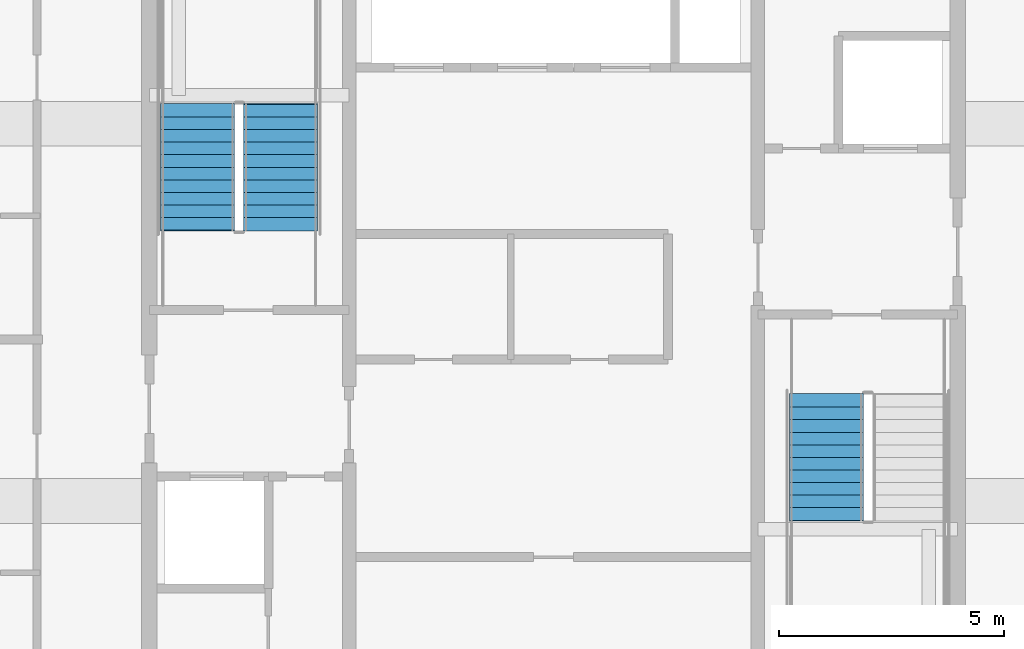
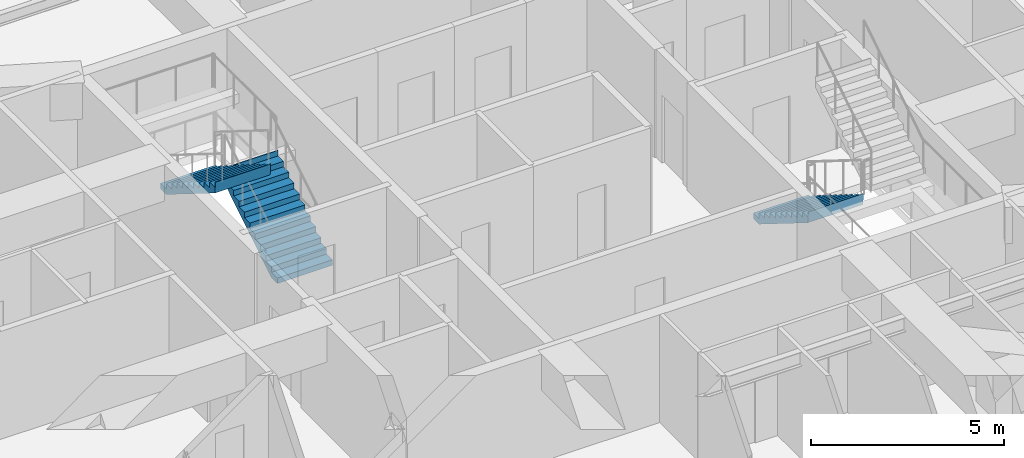
# One storey, part 33 of 39: 3 stair flights, 2 elements without a shape of their own.
"""IFC4 building model written with IfcOpenShell, lengths in metres."""

import ifcopenshell
import ifcopenshell.guid

model = None  # the IFC model being written
_history = None  # IfcOwnerHistory: only IFC2X3 demands one
_inside = {}  # id of a spatial element -> (the spatial element, [elements in it])
_under = {}  # id of a project, library or spatial element -> (it, [spatial elements below it])
_declared = {}  # id of a project -> (the project, [libraries it declares])
_typed = {}  # id of a type object -> (the type object, [elements of that type])
_made_of = {}  # id of a material, layer set ... -> (it, [elements and type objects made of it])


def new_model(schema):
    """Start an empty IFC model of exactly this schema.

    Asked for "IFC4X3", IfcOpenShell would pick the latest addendum, in which some entities
    have other attributes; the version numbers below select the first issue.
    IFC2X3 requires an IfcOwnerHistory on every rooted entity: one is made here for all.
    """
    global model, _history
    if schema == "IFC4X3":
        model = ifcopenshell.file(schema_version=(4, 3, 0, 0))
    else:
        model = ifcopenshell.file(schema=schema)
    _inside.clear()
    _under.clear()
    _declared.clear()
    _typed.clear()
    _made_of.clear()
    _history = None
    if model.schema == "IFC2X3":
        org = make("IfcOrganization", Name="unknown")
        user = make(
            "IfcPersonAndOrganization",
            ThePerson=make("IfcPerson", FamilyName="unknown"),
            TheOrganization=org,
        )
        app = make(
            "IfcApplication",
            ApplicationDeveloper=org,
            Version="unknown",
            ApplicationFullName="unknown",
            ApplicationIdentifier="unknown",
        )
        _history = make(
            "IfcOwnerHistory",
            OwningUser=user,
            OwningApplication=app,
            ChangeAction="ADDED",
            CreationDate=0,
        )
    return model


def make(cls, **values):
    """One entity of the class cls with the attributes given. An attribute that is None is left unset."""
    return model.create_entity(
        cls, **{name: value for name, value in values.items() if value is not None}
    )


def rooted(cls, **values):
    """An entity with a GlobalId (a new one), such as an element, a storey or a relation."""
    return make(cls, GlobalId=ifcopenshell.guid.new(), OwnerHistory=_history, **values)


def si_unit(unit_type, name, prefix=None):
    """IfcSIUnit, for example si_unit("LENGTHUNIT", "METRE", prefix="MILLI")."""
    return make("IfcSIUnit", UnitType=unit_type, Prefix=prefix, Name=name)


def assignment(units):
    """IfcUnitAssignment: the units of a project."""
    return None if units is None else make("IfcUnitAssignment", Units=units)


def point(xyz):
    """IfcCartesianPoint."""
    return None if xyz is None else make("IfcCartesianPoint", Coordinates=xyz)


def direction(xyz):
    """IfcDirection."""
    return None if xyz is None else make("IfcDirection", DirectionRatios=xyz)


def frame(location, z_axis=None, x_axis=None):
    """IfcAxis2Placement3D, a coordinate frame: its origin and axes. An axis left out is left unset."""
    return make(
        "IfcAxis2Placement3D",
        Location=point(location),
        Axis=direction(z_axis),
        RefDirection=direction(x_axis),
    )


def origin():
    """The frame at (0, 0, 0) with its axes left unset."""
    return frame((0.0, 0.0, 0.0))


def place(relative_to, where):
    """IfcLocalPlacement: puts the frame where relative to a parent placement (None: the world)."""
    return make(
        "IfcLocalPlacement", PlacementRelTo=relative_to, RelativePlacement=where
    )


def context(
    kind, dimensions, precision=None, world=None, true_north=None, identifier=None
):
    """IfcGeometricRepresentationContext, for example the 3D "Model" context."""
    return make(
        "IfcGeometricRepresentationContext",
        ContextIdentifier=identifier,
        ContextType=kind,
        CoordinateSpaceDimension=dimensions,
        Precision=precision,
        WorldCoordinateSystem=world,
        TrueNorth=true_north,
    )


def subcontext(parent, identifier, kind, view, scale=None):
    """IfcGeometricRepresentationSubContext, for example "Body" below "Model"."""
    return make(
        "IfcGeometricRepresentationSubContext",
        ContextIdentifier=identifier,
        ContextType=kind,
        ParentContext=parent,
        TargetScale=scale,
        TargetView=view,
    )


def project(units=None, contexts=None):
    """IfcProject with its units and contexts."""
    return rooted(
        "IfcProject",
        Name="project",
        RepresentationContexts=contexts,
        UnitsInContext=assignment(units),
    )


def spatial(cls, under=None, at=None, **own):
    """A site, building, storey or space (cls), placed at a placement, below another one or the project."""
    s = rooted(cls, ObjectPlacement=at, **own)
    if under is not None:
        _under.setdefault(under.id(), (under, []))[1].append(s)
    return s


def point_list(points):
    """IfcCartesianPointList2D or 3D."""
    cls = (
        "IfcCartesianPointList2D" if len(points[0]) == 2 else "IfcCartesianPointList3D"
    )
    return make(cls, CoordList=points)


def polygons(points, faces, closed=None, point_numbers=None):
    """IfcPolygonalFaceSet: a face is its outer loop, then its inner loops; points numbered from 1."""
    made = []
    for loops in faces:
        if len(loops) == 1:
            made.append(make("IfcIndexedPolygonalFace", CoordIndex=loops[0]))
        else:
            made.append(
                make(
                    "IfcIndexedPolygonalFaceWithVoids",
                    CoordIndex=loops[0],
                    InnerCoordIndices=loops[1:],
                )
            )
    return make(
        "IfcPolygonalFaceSet",
        Coordinates=point_list(points),
        Closed=closed,
        Faces=made,
        PnIndex=point_numbers,
    )


def shape(context_of_items, identifier, shape_type, items):
    """IfcShapeRepresentation: the items that make up one representation, for example the "Body"."""
    return make(
        "IfcShapeRepresentation",
        ContextOfItems=context_of_items,
        RepresentationIdentifier=identifier,
        RepresentationType=shape_type,
        Items=items,
    )


def material(Name=None, Category=None):
    """IfcMaterial."""
    return make("IfcMaterial", Name=Name, Category=Category)


def made_of(thing, what):
    """Note that an element or type object is made of a material, layer set ...; save() writes the relation."""
    if what is not None:
        _made_of.setdefault(what.id(), (what, []))[1].append(thing)
    return thing


def type_object(cls, material=None, **own):
    """A type object (cls), such as IfcWallType, which elements share."""
    return made_of(rooted(cls, **own), material)


def element(
    cls,
    number,
    at=None,
    inside=None,
    cuts=None,
    type_object=None,
    material=None,
    context=None,
    identifier="Body",
    shape_type=None,
    held_by="IfcProductDefinitionShape",
    body=None,
    shapes=None,
    **own,
):
    """One element of the class cls, such as IfcWall. Its Tag is "e" and its number.

    at: its placement. inside: the storey or other place that contains it. cuts: it is an
    opening in that element (IfcRelVoidsElement). A single representation is given by context,
    identifier, shape_type and body (its items); several are given by shapes. held_by: the class
    of the entity that holds the representations. save() writes the other relations.
    """
    e = rooted(cls, Tag="e%d" % number, ObjectPlacement=at, **own)
    if body is not None:
        shapes = [shape(context, identifier, shape_type, body)]
    if shapes is not None:
        e.Representation = make(held_by, Representations=shapes)
    if inside is not None:
        _inside.setdefault(inside.id(), (inside, []))[1].append(e)
    if cuts is not None:
        rooted(
            "IfcRelVoidsElement", RelatingBuildingElement=cuts, RelatedOpeningElement=e
        )
    if type_object is not None:
        _typed.setdefault(type_object.id(), (type_object, []))[1].append(e)
    return made_of(e, material)


def aggregate(whole, parts):
    """IfcRelAggregates: a whole, such as a stair, and the parts it consists of."""
    return rooted("IfcRelAggregates", RelatingObject=whole, RelatedObjects=parts)


def save(model, path):
    """Write the relations noted so far, then the file.

    IfcRelAggregates (storeys below a building ...), IfcRelContainedInSpatialStructure (elements
    in a storey), IfcRelDefinesByType, IfcRelAssociatesMaterial and IfcRelDeclares: one each for
    every whole, place, type object, material and project.
    """
    for whole, parts in _under.values():
        aggregate(whole, parts)
    for where, things in _inside.values():
        rooted(
            "IfcRelContainedInSpatialStructure",
            RelatedElements=things,
            RelatingStructure=where,
        )
    for kind, things in _typed.values():
        rooted("IfcRelDefinesByType", RelatedObjects=things, RelatingType=kind)
    for what, things in _made_of.values():
        rooted("IfcRelAssociatesMaterial", RelatedObjects=things, RelatingMaterial=what)
    for by, libraries in _declared.values():
        rooted("IfcRelDeclares", RelatingContext=by, RelatedDefinitions=libraries)
    model.write(path)


model = new_model("IFC4")

# Units and contexts
model_context = context("Model", 3, precision=1e-05, world=origin(), true_north=direction((0.0, 1.0)))
body_context = subcontext(model_context, "Body", "Model", "MODEL_VIEW")
ifc_project = project(units=[si_unit("LENGTHUNIT", "METRE"), si_unit("AREAUNIT", "SQUARE_METRE"), si_unit("VOLUMEUNIT", "CUBIC_METRE"), si_unit("PLANEANGLEUNIT", "RADIAN"), si_unit("MASSUNIT", "GRAM", prefix="KILO")], contexts=[model_context])

# Site, building, storey
site_placement = place(None, origin())
site = spatial("IfcSite", under=ifc_project, at=site_placement, CompositionType="ELEMENT")
building_placement = place(site_placement, origin())
building = spatial("IfcBuilding", under=site, at=building_placement, Name="Serunith Strait Residences", CompositionType="ELEMENT")
storey_placement = place(building_placement, frame((0.0, 0.0, 283.60009765625)))
storey = spatial("IfcBuildingStorey", under=building, at=storey_placement, Name="L71", CompositionType="ELEMENT", Elevation=283.60009765625)

# Stair, stair flights
ifc_material = material(Name="Concrete C50/60", Category="concrete")
stair_type_1 = type_object("IfcStairType", Name="STR-CORE-1", PredefinedType="HALF_TURN_STAIR", material=ifc_material)
stair_1_placement = place(storey_placement, origin())
stair_1 = element("IfcStair", 1, at=stair_1_placement, inside=storey, type_object=stair_type_1, Name="L71 Protected Escape Stair ST-1", PredefinedType="HALF_TURN_STAIR")
stair_flight_type_1 = type_object("IfcStairFlightType", Name="FLT-CORE-1", PredefinedType="STRAIGHT", material=ifc_material)
stair_flight_1_placement = place(storey_placement, frame((26.324951171875, 27.030029296875, 0.0), z_axis=(0.0, 0.0, 1.0), x_axis=(0.0, 1.0, 0.0)))
stair_flight_1 = element("IfcStairFlight", 2, at=stair_flight_1_placement, type_object=stair_flight_type_1, Name="ST-1 flight 1", NumberOfRisers=11, NumberOfTreads=10, PredefinedType="STRAIGHT", RiserHeight=0.175, TreadLength=0.28, context=body_context, shape_type="Tessellation", body=[
    polygons([(-0.02001953125, -0.824951171875, 0.0), (-0.02001953125, -0.824951171875, 0.175048828125), (0.280029296875, -0.824951171875, 0.175048828125), (0.280029296875, -0.824951171875, 0.35009765625), (0.56005859375, -0.824951171875, 0.35009765625), (0.56005859375, -0.824951171875, 0.52490234375), (0.840087890625, -0.824951171875, 0.52490234375), (0.840087890625, -0.824951171875, 0.699951171875), (1.1201171875, -0.824951171875, 0.699951171875), (1.1201171875, -0.824951171875, 0.875), (1.39990234375, -0.824951171875, 0.875), (1.39990234375, -0.824951171875, 1.050048828125), (1.679931640625, -0.824951171875, 1.050048828125), (1.679931640625, -0.824951171875, 1.22509765625), (1.9599609375, -0.824951171875, 1.22509765625), (1.9599609375, -0.824951171875, 1.39990234375), (2.239990234375, -0.824951171875, 1.39990234375), (2.239990234375, -0.824951171875, 1.574951171875), (2.52001953125, -0.824951171875, 1.574951171875), (2.52001953125, -0.824951171875, 1.75), (2.800048828125, -0.824951171875, 1.75), (2.800048828125, -0.824951171875, 1.925048828125), (2.820068359375, -0.824951171875, 1.925048828125), (2.820068359375, -0.824951171875, 1.864990234375), (2.800048828125, -0.824951171875, 1.5732421875), (0.28271484375, -0.824951171875, 0.0), (-0.02001953125, -0.41259765625, 0.0), (-0.02001953125, -0.41259765625, 0.175048828125), (0.280029296875, -0.41259765625, 0.175048828125), (0.280029296875, -0.41259765625, 0.35009765625), (0.56005859375, -0.41259765625, 0.35009765625), (0.56005859375, -0.41259765625, 0.52490234375), (0.840087890625, -0.41259765625, 0.52490234375), (0.840087890625, -0.41259765625, 0.699951171875), (1.1201171875, -0.41259765625, 0.699951171875), (1.1201171875, -0.41259765625, 0.875), (1.39990234375, -0.41259765625, 0.875), (1.39990234375, -0.41259765625, 1.050048828125), (1.679931640625, -0.41259765625, 1.050048828125), (1.679931640625, -0.41259765625, 1.22509765625), (1.9599609375, -0.41259765625, 1.22509765625), (1.9599609375, -0.41259765625, 1.39990234375), (2.239990234375, -0.41259765625, 1.39990234375), (2.239990234375, -0.41259765625, 1.574951171875), (2.52001953125, -0.41259765625, 1.574951171875), (2.52001953125, -0.41259765625, 1.75), (2.800048828125, -0.41259765625, 1.75), (2.800048828125, -0.41259765625, 1.925048828125), (2.820068359375, -0.41259765625, 1.925048828125), (2.820068359375, -0.41259765625, 1.864990234375), (2.800048828125, -0.41259765625, 1.5732421875), (0.28271484375, -0.41259765625, 0.0), (-0.02001953125, 0.0, 0.0), (-0.02001953125, 0.0, 0.175048828125), (0.280029296875, 0.0, 0.175048828125), (0.280029296875, 0.0, 0.35009765625), (0.56005859375, 0.0, 0.35009765625), (0.56005859375, 0.0, 0.52490234375), (0.840087890625, 0.0, 0.52490234375), (0.840087890625, 0.0, 0.699951171875), (1.1201171875, 0.0, 0.699951171875), (1.1201171875, 0.0, 0.875), (1.39990234375, 0.0, 0.875), (1.39990234375, 0.0, 1.050048828125), (1.679931640625, 0.0, 1.050048828125), (1.679931640625, 0.0, 1.22509765625), (1.9599609375, 0.0, 1.22509765625), (1.9599609375, 0.0, 1.39990234375), (2.239990234375, 0.0, 1.39990234375), (2.239990234375, 0.0, 1.574951171875), (2.52001953125, 0.0, 1.574951171875), (2.52001953125, 0.0, 1.75), (2.800048828125, 0.0, 1.75), (2.800048828125, 0.0, 1.925048828125), (2.820068359375, 0.0, 1.925048828125), (2.820068359375, 0.0, 1.864990234375), (2.800048828125, 0.0, 1.5732421875), (0.28271484375, 0.0, 0.0), (-0.02001953125, 0.41259765625, 0.0), (-0.02001953125, 0.41259765625, 0.175048828125), (0.280029296875, 0.41259765625, 0.175048828125), (0.280029296875, 0.41259765625, 0.35009765625), (0.56005859375, 0.41259765625, 0.35009765625), (0.56005859375, 0.41259765625, 0.52490234375), (0.840087890625, 0.41259765625, 0.52490234375), (0.840087890625, 0.41259765625, 0.699951171875), (1.1201171875, 0.41259765625, 0.699951171875), (1.1201171875, 0.41259765625, 0.875), (1.39990234375, 0.41259765625, 0.875), (1.39990234375, 0.41259765625, 1.050048828125), (1.679931640625, 0.41259765625, 1.050048828125), (1.679931640625, 0.41259765625, 1.22509765625), (1.9599609375, 0.41259765625, 1.22509765625), (1.9599609375, 0.41259765625, 1.39990234375), (2.239990234375, 0.41259765625, 1.39990234375), (2.239990234375, 0.41259765625, 1.574951171875), (2.52001953125, 0.41259765625, 1.574951171875), (2.52001953125, 0.41259765625, 1.75), (2.800048828125, 0.41259765625, 1.75), (2.800048828125, 0.41259765625, 1.925048828125), (2.820068359375, 0.41259765625, 1.925048828125), (2.820068359375, 0.41259765625, 1.864990234375), (2.800048828125, 0.41259765625, 1.5732421875), (0.28271484375, 0.41259765625, 0.0), (-0.02001953125, 0.824951171875, 0.0), (-0.02001953125, 0.824951171875, 0.175048828125), (0.280029296875, 0.824951171875, 0.175048828125), (0.280029296875, 0.824951171875, 0.35009765625), (0.56005859375, 0.824951171875, 0.35009765625), (0.56005859375, 0.824951171875, 0.52490234375), (0.840087890625, 0.824951171875, 0.52490234375), (0.840087890625, 0.824951171875, 0.699951171875), (1.1201171875, 0.824951171875, 0.699951171875), (1.1201171875, 0.824951171875, 0.875), (1.39990234375, 0.824951171875, 0.875), (1.39990234375, 0.824951171875, 1.050048828125), (1.679931640625, 0.824951171875, 1.050048828125), (1.679931640625, 0.824951171875, 1.22509765625), (1.9599609375, 0.824951171875, 1.22509765625), (1.9599609375, 0.824951171875, 1.39990234375), (2.239990234375, 0.824951171875, 1.39990234375), (2.239990234375, 0.824951171875, 1.574951171875), (2.52001953125, 0.824951171875, 1.574951171875), (2.52001953125, 0.824951171875, 1.75), (2.800048828125, 0.824951171875, 1.75), (2.800048828125, 0.824951171875, 1.925048828125), (2.820068359375, 0.824951171875, 1.925048828125), (2.820068359375, 0.824951171875, 1.864990234375), (2.800048828125, 0.824951171875, 1.5732421875), (0.28271484375, 0.824951171875, 0.0)], [[[1, 2, 28, 27]], [[2, 3, 29, 28]], [[3, 4, 30, 29]], [[4, 5, 31, 30]], [[5, 6, 32, 31]], [[6, 7, 33, 32]], [[7, 8, 34, 33]], [[8, 9, 35, 34]], [[9, 10, 36, 35]], [[10, 11, 37, 36]], [[11, 12, 38, 37]], [[12, 13, 39, 38]], [[13, 14, 40, 39]], [[14, 15, 41, 40]], [[15, 16, 42, 41]], [[16, 17, 43, 42]], [[17, 18, 44, 43]], [[18, 19, 45, 44]], [[19, 20, 46, 45]], [[20, 21, 47, 46]], [[21, 22, 48, 47]], [[22, 23, 49, 48]], [[23, 24, 50, 49]], [[24, 25, 51, 50]], [[25, 26, 52, 51]], [[26, 1, 27, 52]], [[27, 28, 54, 53]], [[28, 29, 55, 54]], [[29, 30, 56, 55]], [[30, 31, 57, 56]], [[31, 32, 58, 57]], [[32, 33, 59, 58]], [[33, 34, 60, 59]], [[34, 35, 61, 60]], [[35, 36, 62, 61]], [[36, 37, 63, 62]], [[37, 38, 64, 63]], [[38, 39, 65, 64]], [[39, 40, 66, 65]], [[40, 41, 67, 66]], [[41, 42, 68, 67]], [[42, 43, 69, 68]], [[43, 44, 70, 69]], [[44, 45, 71, 70]], [[45, 46, 72, 71]], [[46, 47, 73, 72]], [[47, 48, 74, 73]], [[48, 49, 75, 74]], [[49, 50, 76, 75]], [[50, 51, 77, 76]], [[51, 52, 78, 77]], [[52, 27, 53, 78]], [[53, 54, 80, 79]], [[54, 55, 81, 80]], [[55, 56, 82, 81]], [[56, 57, 83, 82]], [[57, 58, 84, 83]], [[58, 59, 85, 84]], [[59, 60, 86, 85]], [[60, 61, 87, 86]], [[61, 62, 88, 87]], [[62, 63, 89, 88]], [[63, 64, 90, 89]], [[64, 65, 91, 90]], [[65, 66, 92, 91]], [[66, 67, 93, 92]], [[67, 68, 94, 93]], [[68, 69, 95, 94]], [[69, 70, 96, 95]], [[70, 71, 97, 96]], [[71, 72, 98, 97]], [[72, 73, 99, 98]], [[73, 74, 100, 99]], [[74, 75, 101, 100]], [[75, 76, 102, 101]], [[76, 77, 103, 102]], [[77, 78, 104, 103]], [[78, 53, 79, 104]], [[79, 80, 106, 105]], [[80, 81, 107, 106]], [[81, 82, 108, 107]], [[82, 83, 109, 108]], [[83, 84, 110, 109]], [[84, 85, 111, 110]], [[85, 86, 112, 111]], [[86, 87, 113, 112]], [[87, 88, 114, 113]], [[88, 89, 115, 114]], [[89, 90, 116, 115]], [[90, 91, 117, 116]], [[91, 92, 118, 117]], [[92, 93, 119, 118]], [[93, 94, 120, 119]], [[94, 95, 121, 120]], [[95, 96, 122, 121]], [[96, 97, 123, 122]], [[97, 98, 124, 123]], [[98, 99, 125, 124]], [[99, 100, 126, 125]], [[100, 101, 127, 126]], [[101, 102, 128, 127]], [[102, 103, 129, 128]], [[103, 104, 130, 129]], [[104, 79, 105, 130]], [[26, 25, 24, 23, 22, 21, 20, 19, 18, 17, 16, 15, 14, 13, 12, 11, 10, 9, 8, 7, 6, 5, 4, 3, 2, 1]], [[105, 106, 107, 108, 109, 110, 111, 112, 113, 114, 115, 116, 117, 118, 119, 120, 121, 122, 123, 124, 125, 126, 127, 128, 129, 130]]], closed=True),
])
stair_flight_2_placement = place(storey_placement, frame((24.47509765625, 29.830078125, 1.9248046875), z_axis=(0.0, 0.0, 1.0), x_axis=(0.0, -1.0, 0.0)))
stair_flight_2 = element("IfcStairFlight", 3, at=stair_flight_2_placement, type_object=stair_flight_type_1, Name="ST-1 flight 2", NumberOfRisers=11, NumberOfTreads=10, PredefinedType="STRAIGHT", RiserHeight=0.175, TreadLength=0.28, context=body_context, shape_type="Tessellation", body=[
    polygons([(-0.02001953125, -0.824951171875, 0.0), (-0.02001953125, -0.824951171875, 0.175048828125), (0.280029296875, -0.824951171875, 0.175048828125), (0.280029296875, -0.824951171875, 0.35009765625), (0.56005859375, -0.824951171875, 0.35009765625), (0.56005859375, -0.824951171875, 0.52490234375), (0.840087890625, -0.824951171875, 0.52490234375), (0.840087890625, -0.824951171875, 0.699951171875), (1.1201171875, -0.824951171875, 0.699951171875), (1.1201171875, -0.824951171875, 0.875), (1.39990234375, -0.824951171875, 0.875), (1.39990234375, -0.824951171875, 1.050048828125), (1.679931640625, -0.824951171875, 1.050048828125), (1.679931640625, -0.824951171875, 1.22509765625), (1.9599609375, -0.824951171875, 1.22509765625), (1.9599609375, -0.824951171875, 1.39990234375), (2.239990234375, -0.824951171875, 1.39990234375), (2.239990234375, -0.824951171875, 1.574951171875), (2.52001953125, -0.824951171875, 1.574951171875), (2.52001953125, -0.824951171875, 1.75), (2.800048828125, -0.824951171875, 1.75), (2.800048828125, -0.824951171875, 1.925048828125), (2.820068359375, -0.824951171875, 1.925048828125), (2.820068359375, -0.824951171875, 1.864990234375), (2.800048828125, -0.824951171875, 1.5732421875), (0.28271484375, -0.824951171875, 0.0), (-0.02001953125, -0.41259765625, 0.0), (-0.02001953125, -0.41259765625, 0.175048828125), (0.280029296875, -0.41259765625, 0.175048828125), (0.280029296875, -0.41259765625, 0.35009765625), (0.56005859375, -0.41259765625, 0.35009765625), (0.56005859375, -0.41259765625, 0.52490234375), (0.840087890625, -0.41259765625, 0.52490234375), (0.840087890625, -0.41259765625, 0.699951171875), (1.1201171875, -0.41259765625, 0.699951171875), (1.1201171875, -0.41259765625, 0.875), (1.39990234375, -0.41259765625, 0.875), (1.39990234375, -0.41259765625, 1.050048828125), (1.679931640625, -0.41259765625, 1.050048828125), (1.679931640625, -0.41259765625, 1.22509765625), (1.9599609375, -0.41259765625, 1.22509765625), (1.9599609375, -0.41259765625, 1.39990234375), (2.239990234375, -0.41259765625, 1.39990234375), (2.239990234375, -0.41259765625, 1.574951171875), (2.52001953125, -0.41259765625, 1.574951171875), (2.52001953125, -0.41259765625, 1.75), (2.800048828125, -0.41259765625, 1.75), (2.800048828125, -0.41259765625, 1.925048828125), (2.820068359375, -0.41259765625, 1.925048828125), (2.820068359375, -0.41259765625, 1.864990234375), (2.800048828125, -0.41259765625, 1.5732421875), (0.28271484375, -0.41259765625, 0.0), (-0.02001953125, 0.0, 0.0), (-0.02001953125, 0.0, 0.175048828125), (0.280029296875, 0.0, 0.175048828125), (0.280029296875, 0.0, 0.35009765625), (0.56005859375, 0.0, 0.35009765625), (0.56005859375, 0.0, 0.52490234375), (0.840087890625, 0.0, 0.52490234375), (0.840087890625, 0.0, 0.699951171875), (1.1201171875, 0.0, 0.699951171875), (1.1201171875, 0.0, 0.875), (1.39990234375, 0.0, 0.875), (1.39990234375, 0.0, 1.050048828125), (1.679931640625, 0.0, 1.050048828125), (1.679931640625, 0.0, 1.22509765625), (1.9599609375, 0.0, 1.22509765625), (1.9599609375, 0.0, 1.39990234375), (2.239990234375, 0.0, 1.39990234375), (2.239990234375, 0.0, 1.574951171875), (2.52001953125, 0.0, 1.574951171875), (2.52001953125, 0.0, 1.75), (2.800048828125, 0.0, 1.75), (2.800048828125, 0.0, 1.925048828125), (2.820068359375, 0.0, 1.925048828125), (2.820068359375, 0.0, 1.864990234375), (2.800048828125, 0.0, 1.5732421875), (0.28271484375, 0.0, 0.0), (-0.02001953125, 0.41259765625, 0.0), (-0.02001953125, 0.41259765625, 0.175048828125), (0.280029296875, 0.41259765625, 0.175048828125), (0.280029296875, 0.41259765625, 0.35009765625), (0.56005859375, 0.41259765625, 0.35009765625), (0.56005859375, 0.41259765625, 0.52490234375), (0.840087890625, 0.41259765625, 0.52490234375), (0.840087890625, 0.41259765625, 0.699951171875), (1.1201171875, 0.41259765625, 0.699951171875), (1.1201171875, 0.41259765625, 0.875), (1.39990234375, 0.41259765625, 0.875), (1.39990234375, 0.41259765625, 1.050048828125), (1.679931640625, 0.41259765625, 1.050048828125), (1.679931640625, 0.41259765625, 1.22509765625), (1.9599609375, 0.41259765625, 1.22509765625), (1.9599609375, 0.41259765625, 1.39990234375), (2.239990234375, 0.41259765625, 1.39990234375), (2.239990234375, 0.41259765625, 1.574951171875), (2.52001953125, 0.41259765625, 1.574951171875), (2.52001953125, 0.41259765625, 1.75), (2.800048828125, 0.41259765625, 1.75), (2.800048828125, 0.41259765625, 1.925048828125), (2.820068359375, 0.41259765625, 1.925048828125), (2.820068359375, 0.41259765625, 1.864990234375), (2.800048828125, 0.41259765625, 1.5732421875), (0.28271484375, 0.41259765625, 0.0), (-0.02001953125, 0.824951171875, 0.0), (-0.02001953125, 0.824951171875, 0.175048828125), (0.280029296875, 0.824951171875, 0.175048828125), (0.280029296875, 0.824951171875, 0.35009765625), (0.56005859375, 0.824951171875, 0.35009765625), (0.56005859375, 0.824951171875, 0.52490234375), (0.840087890625, 0.824951171875, 0.52490234375), (0.840087890625, 0.824951171875, 0.699951171875), (1.1201171875, 0.824951171875, 0.699951171875), (1.1201171875, 0.824951171875, 0.875), (1.39990234375, 0.824951171875, 0.875), (1.39990234375, 0.824951171875, 1.050048828125), (1.679931640625, 0.824951171875, 1.050048828125), (1.679931640625, 0.824951171875, 1.22509765625), (1.9599609375, 0.824951171875, 1.22509765625), (1.9599609375, 0.824951171875, 1.39990234375), (2.239990234375, 0.824951171875, 1.39990234375), (2.239990234375, 0.824951171875, 1.574951171875), (2.52001953125, 0.824951171875, 1.574951171875), (2.52001953125, 0.824951171875, 1.75), (2.800048828125, 0.824951171875, 1.75), (2.800048828125, 0.824951171875, 1.925048828125), (2.820068359375, 0.824951171875, 1.925048828125), (2.820068359375, 0.824951171875, 1.864990234375), (2.800048828125, 0.824951171875, 1.5732421875), (0.28271484375, 0.824951171875, 0.0)], [[[1, 2, 28, 27]], [[2, 3, 29, 28]], [[3, 4, 30, 29]], [[4, 5, 31, 30]], [[5, 6, 32, 31]], [[6, 7, 33, 32]], [[7, 8, 34, 33]], [[8, 9, 35, 34]], [[9, 10, 36, 35]], [[10, 11, 37, 36]], [[11, 12, 38, 37]], [[12, 13, 39, 38]], [[13, 14, 40, 39]], [[14, 15, 41, 40]], [[15, 16, 42, 41]], [[16, 17, 43, 42]], [[17, 18, 44, 43]], [[18, 19, 45, 44]], [[19, 20, 46, 45]], [[20, 21, 47, 46]], [[21, 22, 48, 47]], [[22, 23, 49, 48]], [[23, 24, 50, 49]], [[24, 25, 51, 50]], [[25, 26, 52, 51]], [[26, 1, 27, 52]], [[27, 28, 54, 53]], [[28, 29, 55, 54]], [[29, 30, 56, 55]], [[30, 31, 57, 56]], [[31, 32, 58, 57]], [[32, 33, 59, 58]], [[33, 34, 60, 59]], [[34, 35, 61, 60]], [[35, 36, 62, 61]], [[36, 37, 63, 62]], [[37, 38, 64, 63]], [[38, 39, 65, 64]], [[39, 40, 66, 65]], [[40, 41, 67, 66]], [[41, 42, 68, 67]], [[42, 43, 69, 68]], [[43, 44, 70, 69]], [[44, 45, 71, 70]], [[45, 46, 72, 71]], [[46, 47, 73, 72]], [[47, 48, 74, 73]], [[48, 49, 75, 74]], [[49, 50, 76, 75]], [[50, 51, 77, 76]], [[51, 52, 78, 77]], [[52, 27, 53, 78]], [[53, 54, 80, 79]], [[54, 55, 81, 80]], [[55, 56, 82, 81]], [[56, 57, 83, 82]], [[57, 58, 84, 83]], [[58, 59, 85, 84]], [[59, 60, 86, 85]], [[60, 61, 87, 86]], [[61, 62, 88, 87]], [[62, 63, 89, 88]], [[63, 64, 90, 89]], [[64, 65, 91, 90]], [[65, 66, 92, 91]], [[66, 67, 93, 92]], [[67, 68, 94, 93]], [[68, 69, 95, 94]], [[69, 70, 96, 95]], [[70, 71, 97, 96]], [[71, 72, 98, 97]], [[72, 73, 99, 98]], [[73, 74, 100, 99]], [[74, 75, 101, 100]], [[75, 76, 102, 101]], [[76, 77, 103, 102]], [[77, 78, 104, 103]], [[78, 53, 79, 104]], [[79, 80, 106, 105]], [[80, 81, 107, 106]], [[81, 82, 108, 107]], [[82, 83, 109, 108]], [[83, 84, 110, 109]], [[84, 85, 111, 110]], [[85, 86, 112, 111]], [[86, 87, 113, 112]], [[87, 88, 114, 113]], [[88, 89, 115, 114]], [[89, 90, 116, 115]], [[90, 91, 117, 116]], [[91, 92, 118, 117]], [[92, 93, 119, 118]], [[93, 94, 120, 119]], [[94, 95, 121, 120]], [[95, 96, 122, 121]], [[96, 97, 123, 122]], [[97, 98, 124, 123]], [[98, 99, 125, 124]], [[99, 100, 126, 125]], [[100, 101, 127, 126]], [[101, 102, 128, 127]], [[102, 103, 129, 128]], [[103, 104, 130, 129]], [[104, 79, 105, 130]], [[26, 25, 24, 23, 22, 21, 20, 19, 18, 17, 16, 15, 14, 13, 12, 11, 10, 9, 8, 7, 6, 5, 4, 3, 2, 1]], [[105, 106, 107, 108, 109, 110, 111, 112, 113, 114, 115, 116, 117, 118, 119, 120, 121, 122, 123, 124, 125, 126, 127, 128, 129, 130]]], closed=True),
])
aggregate(stair_1, [stair_flight_1, stair_flight_2])

# Stair, stair flight
stair_type_2 = type_object("IfcStairType", Name="STR-CORE-2", PredefinedType="HALF_TURN_STAIR", material=ifc_material)
stair_2_placement = place(storey_placement, origin())
stair_2 = element("IfcStair", 4, at=stair_2_placement, inside=storey, type_object=stair_type_2, Name="L71 Protected Escape Stair ST-2", PredefinedType="HALF_TURN_STAIR")
stair_flight_type_2 = type_object("IfcStairFlightType", Name="FLT-CORE-2", PredefinedType="STRAIGHT", material=ifc_material)
stair_flight_3_placement = place(storey_placement, frame((38.47509765625, 23.3701171875, 0.0), z_axis=(0.0, 0.0, 1.0), x_axis=(0.0, -1.0, 0.0)))
stair_flight_3 = element("IfcStairFlight", 5, at=stair_flight_3_placement, type_object=stair_flight_type_2, Name="ST-2 flight 1", NumberOfRisers=11, NumberOfTreads=10, PredefinedType="STRAIGHT", RiserHeight=0.175, TreadLength=0.28, context=body_context, shape_type="Tessellation", body=[
    polygons([(-0.02001953125, -0.824951171875, 0.0), (-0.02001953125, -0.824951171875, 0.175048828125), (0.280029296875, -0.824951171875, 0.175048828125), (0.280029296875, -0.824951171875, 0.35009765625), (0.56005859375, -0.824951171875, 0.35009765625), (0.56005859375, -0.824951171875, 0.52490234375), (0.840087890625, -0.824951171875, 0.52490234375), (0.840087890625, -0.824951171875, 0.699951171875), (1.1201171875, -0.824951171875, 0.699951171875), (1.1201171875, -0.824951171875, 0.875), (1.39990234375, -0.824951171875, 0.875), (1.39990234375, -0.824951171875, 1.050048828125), (1.679931640625, -0.824951171875, 1.050048828125), (1.679931640625, -0.824951171875, 1.22509765625), (1.9599609375, -0.824951171875, 1.22509765625), (1.9599609375, -0.824951171875, 1.39990234375), (2.239990234375, -0.824951171875, 1.39990234375), (2.239990234375, -0.824951171875, 1.574951171875), (2.52001953125, -0.824951171875, 1.574951171875), (2.52001953125, -0.824951171875, 1.75), (2.800048828125, -0.824951171875, 1.75), (2.800048828125, -0.824951171875, 1.925048828125), (2.820068359375, -0.824951171875, 1.925048828125), (2.820068359375, -0.824951171875, 1.864990234375), (2.800048828125, -0.824951171875, 1.5732421875), (0.28271484375, -0.824951171875, 0.0), (-0.02001953125, -0.41259765625, 0.0), (-0.02001953125, -0.41259765625, 0.175048828125), (0.280029296875, -0.41259765625, 0.175048828125), (0.280029296875, -0.41259765625, 0.35009765625), (0.56005859375, -0.41259765625, 0.35009765625), (0.56005859375, -0.41259765625, 0.52490234375), (0.840087890625, -0.41259765625, 0.52490234375), (0.840087890625, -0.41259765625, 0.699951171875), (1.1201171875, -0.41259765625, 0.699951171875), (1.1201171875, -0.41259765625, 0.875), (1.39990234375, -0.41259765625, 0.875), (1.39990234375, -0.41259765625, 1.050048828125), (1.679931640625, -0.41259765625, 1.050048828125), (1.679931640625, -0.41259765625, 1.22509765625), (1.9599609375, -0.41259765625, 1.22509765625), (1.9599609375, -0.41259765625, 1.39990234375), (2.239990234375, -0.41259765625, 1.39990234375), (2.239990234375, -0.41259765625, 1.574951171875), (2.52001953125, -0.41259765625, 1.574951171875), (2.52001953125, -0.41259765625, 1.75), (2.800048828125, -0.41259765625, 1.75), (2.800048828125, -0.41259765625, 1.925048828125), (2.820068359375, -0.41259765625, 1.925048828125), (2.820068359375, -0.41259765625, 1.864990234375), (2.800048828125, -0.41259765625, 1.5732421875), (0.28271484375, -0.41259765625, 0.0), (-0.02001953125, 0.0, 0.0), (-0.02001953125, 0.0, 0.175048828125), (0.280029296875, 0.0, 0.175048828125), (0.280029296875, 0.0, 0.35009765625), (0.56005859375, 0.0, 0.35009765625), (0.56005859375, 0.0, 0.52490234375), (0.840087890625, 0.0, 0.52490234375), (0.840087890625, 0.0, 0.699951171875), (1.1201171875, 0.0, 0.699951171875), (1.1201171875, 0.0, 0.875), (1.39990234375, 0.0, 0.875), (1.39990234375, 0.0, 1.050048828125), (1.679931640625, 0.0, 1.050048828125), (1.679931640625, 0.0, 1.22509765625), (1.9599609375, 0.0, 1.22509765625), (1.9599609375, 0.0, 1.39990234375), (2.239990234375, 0.0, 1.39990234375), (2.239990234375, 0.0, 1.574951171875), (2.52001953125, 0.0, 1.574951171875), (2.52001953125, 0.0, 1.75), (2.800048828125, 0.0, 1.75), (2.800048828125, 0.0, 1.925048828125), (2.820068359375, 0.0, 1.925048828125), (2.820068359375, 0.0, 1.864990234375), (2.800048828125, 0.0, 1.5732421875), (0.28271484375, 0.0, 0.0), (-0.02001953125, 0.41259765625, 0.0), (-0.02001953125, 0.41259765625, 0.175048828125), (0.280029296875, 0.41259765625, 0.175048828125), (0.280029296875, 0.41259765625, 0.35009765625), (0.56005859375, 0.41259765625, 0.35009765625), (0.56005859375, 0.41259765625, 0.52490234375), (0.840087890625, 0.41259765625, 0.52490234375), (0.840087890625, 0.41259765625, 0.699951171875), (1.1201171875, 0.41259765625, 0.699951171875), (1.1201171875, 0.41259765625, 0.875), (1.39990234375, 0.41259765625, 0.875), (1.39990234375, 0.41259765625, 1.050048828125), (1.679931640625, 0.41259765625, 1.050048828125), (1.679931640625, 0.41259765625, 1.22509765625), (1.9599609375, 0.41259765625, 1.22509765625), (1.9599609375, 0.41259765625, 1.39990234375), (2.239990234375, 0.41259765625, 1.39990234375), (2.239990234375, 0.41259765625, 1.574951171875), (2.52001953125, 0.41259765625, 1.574951171875), (2.52001953125, 0.41259765625, 1.75), (2.800048828125, 0.41259765625, 1.75), (2.800048828125, 0.41259765625, 1.925048828125), (2.820068359375, 0.41259765625, 1.925048828125), (2.820068359375, 0.41259765625, 1.864990234375), (2.800048828125, 0.41259765625, 1.5732421875), (0.28271484375, 0.41259765625, 0.0), (-0.02001953125, 0.824951171875, 0.0), (-0.02001953125, 0.824951171875, 0.175048828125), (0.280029296875, 0.824951171875, 0.175048828125), (0.280029296875, 0.824951171875, 0.35009765625), (0.56005859375, 0.824951171875, 0.35009765625), (0.56005859375, 0.824951171875, 0.52490234375), (0.840087890625, 0.824951171875, 0.52490234375), (0.840087890625, 0.824951171875, 0.699951171875), (1.1201171875, 0.824951171875, 0.699951171875), (1.1201171875, 0.824951171875, 0.875), (1.39990234375, 0.824951171875, 0.875), (1.39990234375, 0.824951171875, 1.050048828125), (1.679931640625, 0.824951171875, 1.050048828125), (1.679931640625, 0.824951171875, 1.22509765625), (1.9599609375, 0.824951171875, 1.22509765625), (1.9599609375, 0.824951171875, 1.39990234375), (2.239990234375, 0.824951171875, 1.39990234375), (2.239990234375, 0.824951171875, 1.574951171875), (2.52001953125, 0.824951171875, 1.574951171875), (2.52001953125, 0.824951171875, 1.75), (2.800048828125, 0.824951171875, 1.75), (2.800048828125, 0.824951171875, 1.925048828125), (2.820068359375, 0.824951171875, 1.925048828125), (2.820068359375, 0.824951171875, 1.864990234375), (2.800048828125, 0.824951171875, 1.5732421875), (0.28271484375, 0.824951171875, 0.0)], [[[1, 2, 28, 27]], [[2, 3, 29, 28]], [[3, 4, 30, 29]], [[4, 5, 31, 30]], [[5, 6, 32, 31]], [[6, 7, 33, 32]], [[7, 8, 34, 33]], [[8, 9, 35, 34]], [[9, 10, 36, 35]], [[10, 11, 37, 36]], [[11, 12, 38, 37]], [[12, 13, 39, 38]], [[13, 14, 40, 39]], [[14, 15, 41, 40]], [[15, 16, 42, 41]], [[16, 17, 43, 42]], [[17, 18, 44, 43]], [[18, 19, 45, 44]], [[19, 20, 46, 45]], [[20, 21, 47, 46]], [[21, 22, 48, 47]], [[22, 23, 49, 48]], [[23, 24, 50, 49]], [[24, 25, 51, 50]], [[25, 26, 52, 51]], [[26, 1, 27, 52]], [[27, 28, 54, 53]], [[28, 29, 55, 54]], [[29, 30, 56, 55]], [[30, 31, 57, 56]], [[31, 32, 58, 57]], [[32, 33, 59, 58]], [[33, 34, 60, 59]], [[34, 35, 61, 60]], [[35, 36, 62, 61]], [[36, 37, 63, 62]], [[37, 38, 64, 63]], [[38, 39, 65, 64]], [[39, 40, 66, 65]], [[40, 41, 67, 66]], [[41, 42, 68, 67]], [[42, 43, 69, 68]], [[43, 44, 70, 69]], [[44, 45, 71, 70]], [[45, 46, 72, 71]], [[46, 47, 73, 72]], [[47, 48, 74, 73]], [[48, 49, 75, 74]], [[49, 50, 76, 75]], [[50, 51, 77, 76]], [[51, 52, 78, 77]], [[52, 27, 53, 78]], [[53, 54, 80, 79]], [[54, 55, 81, 80]], [[55, 56, 82, 81]], [[56, 57, 83, 82]], [[57, 58, 84, 83]], [[58, 59, 85, 84]], [[59, 60, 86, 85]], [[60, 61, 87, 86]], [[61, 62, 88, 87]], [[62, 63, 89, 88]], [[63, 64, 90, 89]], [[64, 65, 91, 90]], [[65, 66, 92, 91]], [[66, 67, 93, 92]], [[67, 68, 94, 93]], [[68, 69, 95, 94]], [[69, 70, 96, 95]], [[70, 71, 97, 96]], [[71, 72, 98, 97]], [[72, 73, 99, 98]], [[73, 74, 100, 99]], [[74, 75, 101, 100]], [[75, 76, 102, 101]], [[76, 77, 103, 102]], [[77, 78, 104, 103]], [[78, 53, 79, 104]], [[79, 80, 106, 105]], [[80, 81, 107, 106]], [[81, 82, 108, 107]], [[82, 83, 109, 108]], [[83, 84, 110, 109]], [[84, 85, 111, 110]], [[85, 86, 112, 111]], [[86, 87, 113, 112]], [[87, 88, 114, 113]], [[88, 89, 115, 114]], [[89, 90, 116, 115]], [[90, 91, 117, 116]], [[91, 92, 118, 117]], [[92, 93, 119, 118]], [[93, 94, 120, 119]], [[94, 95, 121, 120]], [[95, 96, 122, 121]], [[96, 97, 123, 122]], [[97, 98, 124, 123]], [[98, 99, 125, 124]], [[99, 100, 126, 125]], [[100, 101, 127, 126]], [[101, 102, 128, 127]], [[102, 103, 129, 128]], [[103, 104, 130, 129]], [[104, 79, 105, 130]], [[26, 25, 24, 23, 22, 21, 20, 19, 18, 17, 16, 15, 14, 13, 12, 11, 10, 9, 8, 7, 6, 5, 4, 3, 2, 1]], [[105, 106, 107, 108, 109, 110, 111, 112, 113, 114, 115, 116, 117, 118, 119, 120, 121, 122, 123, 124, 125, 126, 127, 128, 129, 130]]], closed=True),
])
aggregate(stair_2, [stair_flight_3])

save(model, "model.ifc")
